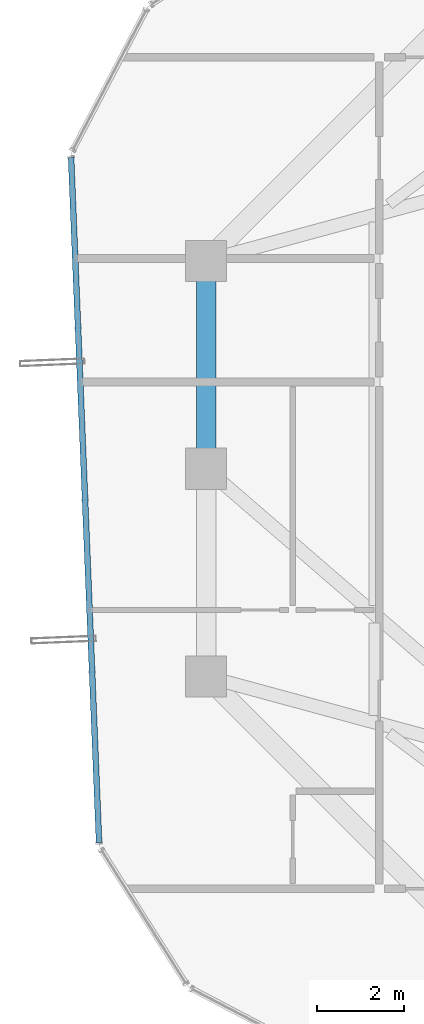
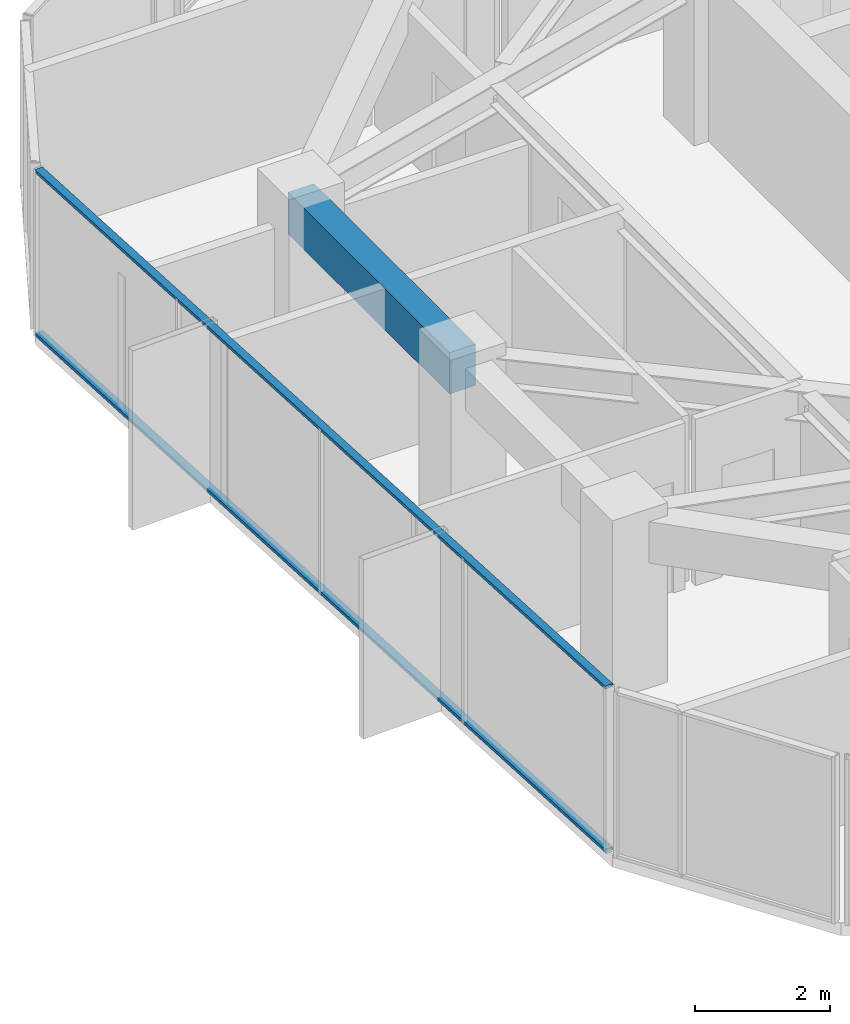
# One storey, part 13 of 33: 2 members, 1 beam, 1 element without a shape of its own.
"""IFC4 building model written with IfcOpenShell, lengths in metres."""

import ifcopenshell
import ifcopenshell.guid

model = None  # the IFC model being written
_history = None  # IfcOwnerHistory: only IFC2X3 demands one
_inside = {}  # id of a spatial element -> (the spatial element, [elements in it])
_under = {}  # id of a project, library or spatial element -> (it, [spatial elements below it])
_declared = {}  # id of a project -> (the project, [libraries it declares])
_typed = {}  # id of a type object -> (the type object, [elements of that type])
_made_of = {}  # id of a material, layer set ... -> (it, [elements and type objects made of it])


def new_model(schema):
    """Start an empty IFC model of exactly this schema.

    Asked for "IFC4X3", IfcOpenShell would pick the latest addendum, in which some entities
    have other attributes; the version numbers below select the first issue.
    IFC2X3 requires an IfcOwnerHistory on every rooted entity: one is made here for all.
    """
    global model, _history
    if schema == "IFC4X3":
        model = ifcopenshell.file(schema_version=(4, 3, 0, 0))
    else:
        model = ifcopenshell.file(schema=schema)
    _inside.clear()
    _under.clear()
    _declared.clear()
    _typed.clear()
    _made_of.clear()
    _history = None
    if model.schema == "IFC2X3":
        org = make("IfcOrganization", Name="unknown")
        user = make(
            "IfcPersonAndOrganization",
            ThePerson=make("IfcPerson", FamilyName="unknown"),
            TheOrganization=org,
        )
        app = make(
            "IfcApplication",
            ApplicationDeveloper=org,
            Version="unknown",
            ApplicationFullName="unknown",
            ApplicationIdentifier="unknown",
        )
        _history = make(
            "IfcOwnerHistory",
            OwningUser=user,
            OwningApplication=app,
            ChangeAction="ADDED",
            CreationDate=0,
        )
    return model


def make(cls, **values):
    """One entity of the class cls with the attributes given. An attribute that is None is left unset."""
    return model.create_entity(
        cls, **{name: value for name, value in values.items() if value is not None}
    )


def rooted(cls, **values):
    """An entity with a GlobalId (a new one), such as an element, a storey or a relation."""
    return make(cls, GlobalId=ifcopenshell.guid.new(), OwnerHistory=_history, **values)


def si_unit(unit_type, name, prefix=None):
    """IfcSIUnit, for example si_unit("LENGTHUNIT", "METRE", prefix="MILLI")."""
    return make("IfcSIUnit", UnitType=unit_type, Prefix=prefix, Name=name)


def assignment(units):
    """IfcUnitAssignment: the units of a project."""
    return None if units is None else make("IfcUnitAssignment", Units=units)


def point(xyz):
    """IfcCartesianPoint."""
    return None if xyz is None else make("IfcCartesianPoint", Coordinates=xyz)


def direction(xyz):
    """IfcDirection."""
    return None if xyz is None else make("IfcDirection", DirectionRatios=xyz)


def frame(location, z_axis=None, x_axis=None):
    """IfcAxis2Placement3D, a coordinate frame: its origin and axes. An axis left out is left unset."""
    return make(
        "IfcAxis2Placement3D",
        Location=point(location),
        Axis=direction(z_axis),
        RefDirection=direction(x_axis),
    )


def frame_2d(location, x_axis=None):
    """IfcAxis2Placement2D, a coordinate frame in the plane: its origin and x axis."""
    return make(
        "IfcAxis2Placement2D", Location=point(location), RefDirection=direction(x_axis)
    )


def origin():
    """The frame at (0, 0, 0) with its axes left unset."""
    return frame((0.0, 0.0, 0.0))


def origin_2d():
    """The frame at (0, 0) in the plane with its x axis left unset."""
    return frame_2d((0.0, 0.0))


def place(relative_to, where):
    """IfcLocalPlacement: puts the frame where relative to a parent placement (None: the world)."""
    return make(
        "IfcLocalPlacement", PlacementRelTo=relative_to, RelativePlacement=where
    )


def context(
    kind, dimensions, precision=None, world=None, true_north=None, identifier=None
):
    """IfcGeometricRepresentationContext, for example the 3D "Model" context."""
    return make(
        "IfcGeometricRepresentationContext",
        ContextIdentifier=identifier,
        ContextType=kind,
        CoordinateSpaceDimension=dimensions,
        Precision=precision,
        WorldCoordinateSystem=world,
        TrueNorth=true_north,
    )


def subcontext(parent, identifier, kind, view, scale=None):
    """IfcGeometricRepresentationSubContext, for example "Body" below "Model"."""
    return make(
        "IfcGeometricRepresentationSubContext",
        ContextIdentifier=identifier,
        ContextType=kind,
        ParentContext=parent,
        TargetScale=scale,
        TargetView=view,
    )


def project(units=None, contexts=None):
    """IfcProject with its units and contexts."""
    return rooted(
        "IfcProject",
        Name="project",
        RepresentationContexts=contexts,
        UnitsInContext=assignment(units),
    )


def spatial(cls, under=None, at=None, **own):
    """A site, building, storey or space (cls), placed at a placement, below another one or the project."""
    s = rooted(cls, ObjectPlacement=at, **own)
    if under is not None:
        _under.setdefault(under.id(), (under, []))[1].append(s)
    return s


def profile(cls, at=None, kind="AREA", **sizes):
    """A parametric profile (cls). Its sizes go by their IFC names, for example OverallWidth=200.0."""
    return make(cls, ProfileType=kind, Position=at, **sizes)


def rectangle(**sizes):
    """IfcRectangleProfileDef."""
    return profile("IfcRectangleProfileDef", **sizes)


def hollow_rectangle(**sizes):
    """IfcRectangleHollowProfileDef."""
    return profile("IfcRectangleHollowProfileDef", **sizes)


def extrude(swept, where, along, depth):
    """IfcExtrudedAreaSolid: the profile swept, set in the frame where, extruded along a direction by depth."""
    return make(
        "IfcExtrudedAreaSolid",
        SweptArea=swept,
        Position=where,
        ExtrudedDirection=direction(along),
        Depth=depth,
    )


def shape(context_of_items, identifier, shape_type, items):
    """IfcShapeRepresentation: the items that make up one representation, for example the "Body"."""
    return make(
        "IfcShapeRepresentation",
        ContextOfItems=context_of_items,
        RepresentationIdentifier=identifier,
        RepresentationType=shape_type,
        Items=items,
    )


def source(mapping_origin, context_of_items, identifier, shape_type, items):
    """IfcRepresentationMap: a shape defined once, which mapped items show again and again."""
    return make(
        "IfcRepresentationMap",
        MappingOrigin=mapping_origin,
        MappedRepresentation=shape(context_of_items, identifier, shape_type, items),
    )


def transform(
    local_origin,
    x_axis=None,
    y_axis=None,
    z_axis=None,
    scale=None,
    scale2=None,
    scale3=None,
    uniform=True,
):
    """IfcCartesianTransformationOperator3D, or its non-uniform kind. x_axis, y_axis, z_axis: its Axis1, 2, 3."""
    if uniform:
        return make(
            "IfcCartesianTransformationOperator3D",
            Axis1=direction(x_axis),
            Axis2=direction(y_axis),
            LocalOrigin=point(local_origin),
            Scale=scale,
            Axis3=direction(z_axis),
        )
    return make(
        "IfcCartesianTransformationOperator3DnonUniform",
        Axis1=direction(x_axis),
        Axis2=direction(y_axis),
        LocalOrigin=point(local_origin),
        Scale=scale,
        Axis3=direction(z_axis),
        Scale2=scale2,
        Scale3=scale3,
    )


def mapped(mapping_source, mapping_target):
    """IfcMappedItem: shows the shape of a source again, moved by a transform."""
    return make(
        "IfcMappedItem", MappingSource=mapping_source, MappingTarget=mapping_target
    )


def material(Name=None, Category=None):
    """IfcMaterial."""
    return make("IfcMaterial", Name=Name, Category=Category)


def layer(
    of_material, thickness, ventilated=None, Name=None, Category=None, Priority=None
):
    """IfcMaterialLayer: one layer of a wall or slab, of a material (None: an air gap)."""
    return make(
        "IfcMaterialLayer",
        Material=of_material,
        LayerThickness=thickness,
        IsVentilated=ventilated,
        Name=Name,
        Category=Category,
        Priority=Priority,
    )


def layer_set(layers, Name=None):
    """IfcMaterialLayerSet."""
    return make("IfcMaterialLayerSet", MaterialLayers=layers, LayerSetName=Name)


def material_profile(
    of_material, cross_section, Name=None, Category=None, Priority=None
):
    """IfcMaterialProfile: a cross section and its material."""
    return make(
        "IfcMaterialProfile",
        Name=Name,
        Material=of_material,
        Profile=cross_section,
        Priority=Priority,
        Category=Category,
    )


def profile_set(profiles, Name=None, composite=None):
    """IfcMaterialProfileSet."""
    return make(
        "IfcMaterialProfileSet",
        Name=Name,
        MaterialProfiles=profiles,
        CompositeProfile=composite,
    )


def made_of(thing, what):
    """Note that an element or type object is made of a material, layer set ...; save() writes the relation."""
    if what is not None:
        _made_of.setdefault(what.id(), (what, []))[1].append(thing)
    return thing


def type_object(cls, material=None, **own):
    """A type object (cls), such as IfcWallType, which elements share."""
    return made_of(rooted(cls, **own), material)


def element(
    cls,
    number,
    at=None,
    inside=None,
    cuts=None,
    type_object=None,
    material=None,
    context=None,
    identifier="Body",
    shape_type=None,
    held_by="IfcProductDefinitionShape",
    body=None,
    shapes=None,
    **own,
):
    """One element of the class cls, such as IfcWall. Its Tag is "e" and its number.

    at: its placement. inside: the storey or other place that contains it. cuts: it is an
    opening in that element (IfcRelVoidsElement). A single representation is given by context,
    identifier, shape_type and body (its items); several are given by shapes. held_by: the class
    of the entity that holds the representations. save() writes the other relations.
    """
    e = rooted(cls, Tag="e%d" % number, ObjectPlacement=at, **own)
    if body is not None:
        shapes = [shape(context, identifier, shape_type, body)]
    if shapes is not None:
        e.Representation = make(held_by, Representations=shapes)
    if inside is not None:
        _inside.setdefault(inside.id(), (inside, []))[1].append(e)
    if cuts is not None:
        rooted(
            "IfcRelVoidsElement", RelatingBuildingElement=cuts, RelatedOpeningElement=e
        )
    if type_object is not None:
        _typed.setdefault(type_object.id(), (type_object, []))[1].append(e)
    return made_of(e, material)


def aggregate(whole, parts):
    """IfcRelAggregates: a whole, such as a stair, and the parts it consists of."""
    return rooted("IfcRelAggregates", RelatingObject=whole, RelatedObjects=parts)


def save(model, path):
    """Write the relations noted so far, then the file.

    IfcRelAggregates (storeys below a building ...), IfcRelContainedInSpatialStructure (elements
    in a storey), IfcRelDefinesByType, IfcRelAssociatesMaterial and IfcRelDeclares: one each for
    every whole, place, type object, material and project.
    """
    for whole, parts in _under.values():
        aggregate(whole, parts)
    for where, things in _inside.values():
        rooted(
            "IfcRelContainedInSpatialStructure",
            RelatedElements=things,
            RelatingStructure=where,
        )
    for kind, things in _typed.values():
        rooted("IfcRelDefinesByType", RelatedObjects=things, RelatingType=kind)
    for what, things in _made_of.values():
        rooted("IfcRelAssociatesMaterial", RelatedObjects=things, RelatingMaterial=what)
    for by, libraries in _declared.values():
        rooted("IfcRelDeclares", RelatingContext=by, RelatedDefinitions=libraries)
    model.write(path)


model = new_model("IFC4")

# Units and contexts
model_context = context("Model", 3, precision=1e-05, world=origin(), true_north=direction((0.0, 1.0)))
body_context = subcontext(model_context, "Body", "Model", "MODEL_VIEW")
ifc_project = project(units=[si_unit("LENGTHUNIT", "METRE"), si_unit("AREAUNIT", "SQUARE_METRE"), si_unit("VOLUMEUNIT", "CUBIC_METRE"), si_unit("PLANEANGLEUNIT", "RADIAN"), si_unit("MASSUNIT", "GRAM", prefix="KILO")], contexts=[model_context])

# Site, building, storey
site_placement = place(None, origin())
site = spatial("IfcSite", under=ifc_project, at=site_placement, CompositionType="ELEMENT")
building_placement = place(site_placement, origin())
building = spatial("IfcBuilding", under=site, at=building_placement, Name="Veraguas Prism Commons", CompositionType="ELEMENT")
storey_placement = place(building_placement, frame((0.0, 0.0, 198.35009765625)))
storey = spatial("IfcBuildingStorey", under=building, at=storey_placement, Name="L56", CompositionType="ELEMENT", Elevation=198.35009765625)

# Beam
ifc_material_1 = material(Name="Concrete C50/60", Category="concrete")
ifc_material_profile_1 = material_profile(ifc_material_1, rectangle(XDim=0.449951171875, YDim=0.75, at=origin_2d()), Name="RC450X750")
ifc_profile_set_1 = profile_set([ifc_material_profile_1], Name="Concrete C50/60")
beam_type = type_object("IfcBeamType", Name="Perimeter Spandrel Upper RC 450x750", PredefinedType="SPANDREL", material=ifc_profile_set_1)
beam_placement = place(storey_placement, frame((9.10009765625, 28.800048828125, 2.639892578125), z_axis=(0.0, -1.0, 0.0), x_axis=(1.0, 0.0, 0.0)))
element("IfcBeam", 1, at=beam_placement, inside=storey, type_object=beam_type, Name="Perimeter Spandrel Beam L56-SP07", PredefinedType="SPANDREL", context=body_context, shape_type="SweptSolid", body=[
    extrude(rectangle(XDim=0.449951171875, YDim=0.75, at=origin_2d()), origin(), (0.0, 0.0, 1.0), 4.800048828125),
])

# Curtain wall, members
ifc_material_2 = material(Name="Anodised aluminium EN AW-6063 T6", Category="aluminium")
ifc_layer = layer(ifc_material_2, 0.14990234375, Name="Unitised Flush Curtain Wall Zone 3", Category="aluminium")
ifc_layer_set = layer_set([ifc_layer], Name="Anodised aluminium EN AW-6063 T6")
curtain_wall_type = type_object("IfcCurtainWallType", Name="Unitised Flush Curtain Wall Zone 3", PredefinedType="NOTDEFINED", material=ifc_layer_set)
curtain_wall_placement = place(storey_placement, origin())
curtain_wall = element("IfcCurtainWall", 2, at=curtain_wall_placement, inside=storey, type_object=curtain_wall_type, Name="Tower Facade Curtain Wall L56-F3", PredefinedType="NOTDEFINED")
ifc_material_profile_2 = material_profile(ifc_material_2, hollow_rectangle(XDim=0.054931640625, YDim=0.135009765625, WallThickness=0.0029296875, at=origin_2d()), Name="AL55X135X3")
ifc_profile_set_2 = profile_set([ifc_material_profile_2], Name="Anodised aluminium EN AW-6063 T6")
member_type = type_object("IfcMemberType", Name="Curtain Wall Transom Standard AL 55x135x3", PredefinedType="USERDEFINED", material=ifc_profile_set_2)
shared_shape = source(origin(), body_context, "Body", "SweptSolid", [
    extrude(hollow_rectangle(XDim=0.054931640625, YDim=0.135009765625, WallThickness=0.0029296875, at=origin_2d()), origin(), (0.0, 0.0, 1.0), 15.84228515625),
])
member_1_placement = place(storey_placement, frame((5.981201171875, 31.19140625, 0.02734375), z_axis=(0.040822872959, -0.999166399076, 0.0), x_axis=(0.0, 0.0, 1.0)))
member_1 = element("IfcMember", 3, at=member_1_placement, type_object=member_type, Name="CW-Z3 Transom 1", ObjectType="TRANSOM", PredefinedType="USERDEFINED", context=body_context, shape_type="MappedRepresentation", body=[
    mapped(shared_shape, transform((0.0, 0.0, 0.0), scale=1.0)),
])
member_2_placement = place(storey_placement, frame((5.981201171875, 31.19140625, 2.9873046875), z_axis=(0.040822872959, -0.999166399076, 0.0), x_axis=(0.0, 0.0, 1.0)))
member_2 = element("IfcMember", 4, at=member_2_placement, type_object=member_type, Name="CW-Z3 Transom 2", ObjectType="TRANSOM", PredefinedType="USERDEFINED", context=body_context, shape_type="MappedRepresentation", body=[
    mapped(shared_shape, transform((0.0, 0.0, 0.0), scale=1.0)),
])
aggregate(curtain_wall, [member_1, member_2])

save(model, "model.ifc")
